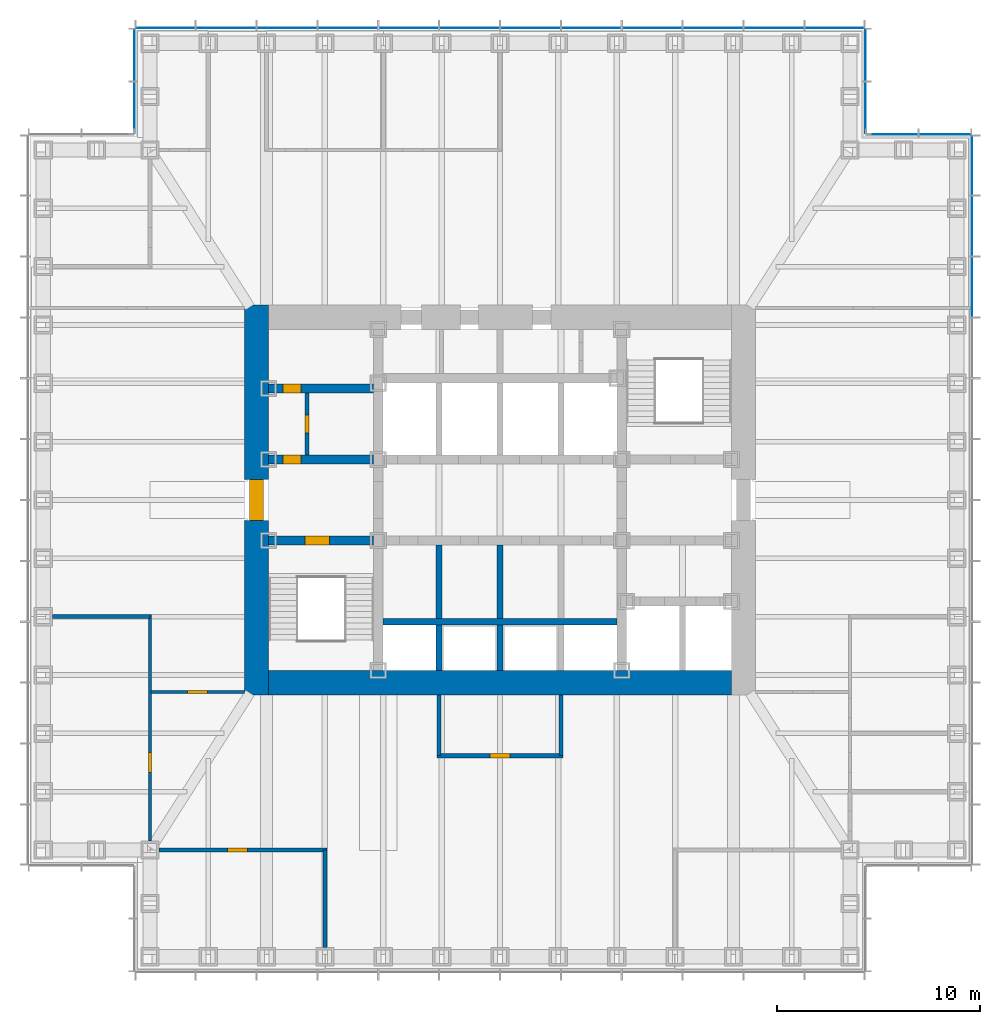
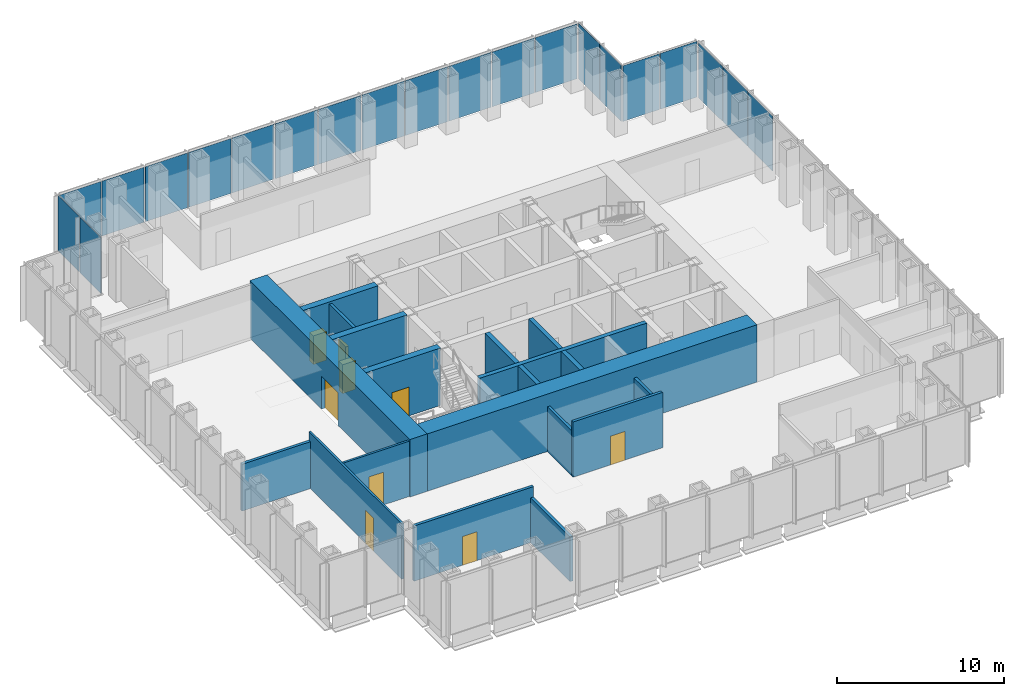
# One storey, part 8 of 16: 21 plates, 19 walls, 9 doors, 9 openings, 5 elements without a shape of their own.
"""IFC4 building model written with IfcOpenShell, lengths in metres."""

from ifc_helpers import new_model, si_unit, direction, frame, frame_2d, origin, origin_2d, place, context, subcontext, project, spatial, rectangle, extrude, material, layer, layer_set, type_object, element, fill, aggregate, save


model = new_model("IFC4")

# Units and contexts
model_context = context("Model", 3, precision=1e-05, world=origin(), true_north=direction((0.0, 1.0)))
body_context = subcontext(model_context, "Body", "Model", "MODEL_VIEW")
ifc_project = project(units=[si_unit("LENGTHUNIT", "METRE"), si_unit("AREAUNIT", "SQUARE_METRE"), si_unit("VOLUMEUNIT", "CUBIC_METRE"), si_unit("PLANEANGLEUNIT", "RADIAN"), si_unit("MASSUNIT", "GRAM", prefix="KILO")], contexts=[model_context])

# Site, building, storey
site_placement = place(None, origin())
site = spatial("IfcSite", under=ifc_project, at=site_placement, CompositionType="ELEMENT")
building_placement = place(site_placement, origin())
building = spatial("IfcBuilding", under=site, at=building_placement, Name="Daluyong Arena Tower", CompositionType="ELEMENT")
storey_placement = place(building_placement, frame((0.0, 0.0, 141.699951171875)))
storey = spatial("IfcBuildingStorey", under=building, at=storey_placement, Name="L31", CompositionType="ELEMENT", Elevation=141.699951171875)

# Curtain wall, plates
ifc_material_1 = material(Name="Bronze anodised aluminium and glass", Category="aluminium")
curtain_wall_type_1 = type_object("IfcCurtainWallType", Name="Curtain wall CW2", PredefinedType="USERDEFINED", material=ifc_material_1)
curtain_wall_1_placement = place(storey_placement, origin())
curtain_wall_1 = element("IfcCurtainWall", 1, at=curtain_wall_1_placement, inside=storey, type_object=curtain_wall_type_1, Name="curtain wall L31 E", ObjectType="UNITISED CURTAIN WALL", PredefinedType="USERDEFINED")
ifc_material_2 = material(Name="Tinted double glazed unit", Category="glass")
ifc_layer_1 = layer(ifc_material_2, 0.031982421875)
ifc_layer_set_1 = layer_set([ifc_layer_1], Name="Tinted double glazed unit")
plate_type_1 = type_object("IfcPlateType", Name="CW2 panel 32", PredefinedType="CURTAIN_PANEL", material=ifc_layer_set_1)
plate_1_placement = place(storey_placement, frame((79.25, 90.5, 0.0), z_axis=(0.0, 0.0, 1.0), x_axis=(0.0, 1.0, 0.0)))
plate_1 = element("IfcPlate", 2, at=plate_1_placement, type_object=plate_type_1, Name="curtain wall L31 E panel 10", PredefinedType="CURTAIN_PANEL", context=body_context, shape_type="SweptSolid", body=[
    extrude(rectangle(XDim=2.919921875, YDim=0.031982421875, at=origin_2d()), origin(), (0.0, 0.0, 1.0), 4.02001953125),
])
plate_2_placement = place(storey_placement, frame((79.25, 93.5, 0.0), z_axis=(0.0, 0.0, 1.0), x_axis=(0.0, 1.0, 0.0)))
plate_2 = element("IfcPlate", 3, at=plate_2_placement, type_object=plate_type_1, Name="curtain wall L31 E panel 11", PredefinedType="CURTAIN_PANEL", context=body_context, shape_type="SweptSolid", body=[
    extrude(rectangle(XDim=2.919921875, YDim=0.031982421875, at=origin_2d()), origin(), (0.0, 0.0, 1.0), 4.02001953125),
])
plate_3_placement = place(storey_placement, frame((79.25, 96.47998046875, 0.0), z_axis=(0.0, 0.0, 1.0), x_axis=(0.0, 1.0, 0.0)))
plate_3 = element("IfcPlate", 4, at=plate_3_placement, type_object=plate_type_1, Name="curtain wall L31 E panel 12", PredefinedType="CURTAIN_PANEL", context=body_context, shape_type="SweptSolid", body=[
    extrude(rectangle(XDim=2.8798828125, YDim=0.031982421875, at=origin_2d()), origin(), (0.0, 0.0, 1.0), 4.02001953125),
])
aggregate(curtain_wall_1, [plate_1, plate_2, plate_3])

curtain_wall_2_placement = place(storey_placement, origin())
curtain_wall_2 = element("IfcCurtainWall", 5, at=curtain_wall_2_placement, inside=storey, type_object=curtain_wall_type_1, Name="curtain wall L31 N", ObjectType="UNITISED CURTAIN WALL", PredefinedType="USERDEFINED")
plate_4_placement = place(storey_placement, frame((72.47998046875, 103.25, 0.0), z_axis=(0.0, 0.0, 1.0), x_axis=(-1.0, 0.0, 0.0)))
plate_4 = element("IfcPlate", 6, at=plate_4_placement, type_object=plate_type_1, Name="curtain wall L31 N panel 1", PredefinedType="CURTAIN_PANEL", context=body_context, shape_type="SweptSolid", body=[
    extrude(rectangle(XDim=2.8798828125, YDim=0.031982421875, at=origin_2d()), origin(), (0.0, 0.0, 1.0), 4.02001953125),
])
plate_5_placement = place(storey_placement, frame((69.5, 103.25, 0.0), z_axis=(0.0, 0.0, 1.0), x_axis=(-1.0, 0.0, 0.0)))
plate_5 = element("IfcPlate", 7, at=plate_5_placement, type_object=plate_type_1, Name="curtain wall L31 N panel 2", PredefinedType="CURTAIN_PANEL", context=body_context, shape_type="SweptSolid", body=[
    extrude(rectangle(XDim=2.919921875, YDim=0.031982421875, at=origin_2d()), origin(), (0.0, 0.0, 1.0), 4.02001953125),
])
plate_6_placement = place(storey_placement, frame((66.5, 103.25, 0.0), z_axis=(0.0, 0.0, 1.0), x_axis=(-1.0, 0.0, 0.0)))
plate_6 = element("IfcPlate", 8, at=plate_6_placement, type_object=plate_type_1, Name="curtain wall L31 N panel 3", PredefinedType="CURTAIN_PANEL", context=body_context, shape_type="SweptSolid", body=[
    extrude(rectangle(XDim=2.919921875, YDim=0.031982421875, at=origin_2d()), origin(), (0.0, 0.0, 1.0), 4.02001953125),
])
plate_7_placement = place(storey_placement, frame((63.5, 103.25, 0.0), z_axis=(0.0, 0.0, 1.0), x_axis=(-1.0, 0.0, 0.0)))
plate_7 = element("IfcPlate", 9, at=plate_7_placement, type_object=plate_type_1, Name="curtain wall L31 N panel 4", PredefinedType="CURTAIN_PANEL", context=body_context, shape_type="SweptSolid", body=[
    extrude(rectangle(XDim=2.919921875, YDim=0.031982421875, at=origin_2d()), origin(), (0.0, 0.0, 1.0), 4.02001953125),
])
plate_8_placement = place(storey_placement, frame((60.5, 103.25, 0.0), z_axis=(0.0, 0.0, 1.0), x_axis=(-1.0, 0.0, 0.0)))
plate_8 = element("IfcPlate", 10, at=plate_8_placement, type_object=plate_type_1, Name="curtain wall L31 N panel 5", PredefinedType="CURTAIN_PANEL", context=body_context, shape_type="SweptSolid", body=[
    extrude(rectangle(XDim=2.919921875, YDim=0.031982421875, at=origin_2d()), origin(), (0.0, 0.0, 1.0), 4.02001953125),
])
plate_9_placement = place(storey_placement, frame((57.5, 103.25, 0.0), z_axis=(0.0, 0.0, 1.0), x_axis=(-1.0, 0.0, 0.0)))
plate_9 = element("IfcPlate", 11, at=plate_9_placement, type_object=plate_type_1, Name="curtain wall L31 N panel 6", PredefinedType="CURTAIN_PANEL", context=body_context, shape_type="SweptSolid", body=[
    extrude(rectangle(XDim=2.919921875, YDim=0.031982421875, at=origin_2d()), origin(), (0.0, 0.0, 1.0), 4.02001953125),
])
plate_10_placement = place(storey_placement, frame((54.5, 103.25, 0.0), z_axis=(0.0, 0.0, 1.0), x_axis=(-1.0, 0.0, 0.0)))
plate_10 = element("IfcPlate", 12, at=plate_10_placement, type_object=plate_type_1, Name="curtain wall L31 N panel 7", PredefinedType="CURTAIN_PANEL", context=body_context, shape_type="SweptSolid", body=[
    extrude(rectangle(XDim=2.919921875, YDim=0.031982421875, at=origin_2d()), origin(), (0.0, 0.0, 1.0), 4.02001953125),
])
plate_11_placement = place(storey_placement, frame((51.5, 103.25, 0.0), z_axis=(0.0, 0.0, 1.0), x_axis=(-1.0, 0.0, 0.0)))
plate_11 = element("IfcPlate", 13, at=plate_11_placement, type_object=plate_type_1, Name="curtain wall L31 N panel 8", PredefinedType="CURTAIN_PANEL", context=body_context, shape_type="SweptSolid", body=[
    extrude(rectangle(XDim=2.919921875, YDim=0.031982421875, at=origin_2d()), origin(), (0.0, 0.0, 1.0), 4.02001953125),
])
plate_12_placement = place(storey_placement, frame((48.5, 103.25, 0.0), z_axis=(0.0, 0.0, 1.0), x_axis=(-1.0, 0.0, 0.0)))
plate_12 = element("IfcPlate", 14, at=plate_12_placement, type_object=plate_type_1, Name="curtain wall L31 N panel 9", PredefinedType="CURTAIN_PANEL", context=body_context, shape_type="SweptSolid", body=[
    extrude(rectangle(XDim=2.919921875, YDim=0.031982421875, at=origin_2d()), origin(), (0.0, 0.0, 1.0), 4.02001953125),
])
plate_13_placement = place(storey_placement, frame((45.5, 103.25, 0.0), z_axis=(0.0, 0.0, 1.0), x_axis=(-1.0, 0.0, 0.0)))
plate_13 = element("IfcPlate", 15, at=plate_13_placement, type_object=plate_type_1, Name="curtain wall L31 N panel 10", PredefinedType="CURTAIN_PANEL", context=body_context, shape_type="SweptSolid", body=[
    extrude(rectangle(XDim=2.919921875, YDim=0.031982421875, at=origin_2d()), origin(), (0.0, 0.0, 1.0), 4.02001953125),
])
plate_14_placement = place(storey_placement, frame((42.5, 103.25, 0.0), z_axis=(0.0, 0.0, 1.0), x_axis=(-1.0, 0.0, 0.0)))
plate_14 = element("IfcPlate", 16, at=plate_14_placement, type_object=plate_type_1, Name="curtain wall L31 N panel 11", PredefinedType="CURTAIN_PANEL", context=body_context, shape_type="SweptSolid", body=[
    extrude(rectangle(XDim=2.919921875, YDim=0.031982421875, at=origin_2d()), origin(), (0.0, 0.0, 1.0), 4.02001953125),
])
plate_15_placement = place(storey_placement, frame((39.52001953125, 103.25, 0.0), z_axis=(0.0, 0.0, 1.0), x_axis=(-1.0, 0.0, 0.0)))
plate_15 = element("IfcPlate", 17, at=plate_15_placement, type_object=plate_type_1, Name="curtain wall L31 N panel 12", PredefinedType="CURTAIN_PANEL", context=body_context, shape_type="SweptSolid", body=[
    extrude(rectangle(XDim=2.8798828125, YDim=0.031982421875, at=origin_2d()), origin(), (0.0, 0.0, 1.0), 4.02001953125),
])
aggregate(curtain_wall_2, [plate_4, plate_5, plate_6, plate_7, plate_8, plate_9, plate_10, plate_11, plate_12, plate_13, plate_14, plate_15])

ifc_material_3 = material(Name="Bronze anodised aluminium and glass", Category="aluminium")
curtain_wall_type_2 = type_object("IfcCurtainWallType", Name="Curtain wall CW7", PredefinedType="USERDEFINED", material=ifc_material_3)
curtain_wall_3_placement = place(storey_placement, origin())
curtain_wall_3 = element("IfcCurtainWall", 18, at=curtain_wall_3_placement, inside=storey, type_object=curtain_wall_type_2, Name="curtain wall L31 NE-N", ObjectType="UNITISED CURTAIN WALL", PredefinedType="USERDEFINED")
ifc_material_4 = material(Name="Tinted double glazed unit", Category="glass")
ifc_layer_2 = layer(ifc_material_4, 0.028076171875)
ifc_layer_set_2 = layer_set([ifc_layer_2], Name="Tinted double glazed unit")
plate_type_2 = type_object("IfcPlateType", Name="CW7 panel 28", PredefinedType="CURTAIN_PANEL", material=ifc_layer_set_2)
plate_16_placement = place(storey_placement, frame((77.922607421875, 98.0, 0.0), z_axis=(0.0, 0.0, 1.0), x_axis=(-1.0, 0.0, 0.0)))
plate_16 = element("IfcPlate", 19, at=plate_16_placement, type_object=plate_type_2, Name="curtain wall L31 NE-N panel 1", PredefinedType="CURTAIN_PANEL", context=body_context, shape_type="SweptSolid", body=[
    extrude(rectangle(XDim=2.534912109375, YDim=0.028076171875, at=origin_2d()), origin(), (0.0, 0.0, 1.0), 4.080078125),
])
plate_17_placement = place(storey_placement, frame((75.327392578125, 98.0, 0.0), z_axis=(0.0, 0.0, 1.0), x_axis=(-1.0, 0.0, 0.0)))
plate_17 = element("IfcPlate", 20, at=plate_17_placement, type_object=plate_type_2, Name="curtain wall L31 NE-N panel 2", PredefinedType="CURTAIN_PANEL", context=body_context, shape_type="SweptSolid", body=[
    extrude(rectangle(XDim=2.534912109375, YDim=0.028076171875, at=origin_2d()), origin(), (0.0, 0.0, 1.0), 4.080078125),
])
aggregate(curtain_wall_3, [plate_16, plate_17])

curtain_wall_4_placement = place(storey_placement, origin())
curtain_wall_4 = element("IfcCurtainWall", 21, at=curtain_wall_4_placement, inside=storey, type_object=curtain_wall_type_2, Name="curtain wall L31 NE-E", ObjectType="UNITISED CURTAIN WALL", PredefinedType="USERDEFINED")
plate_18_placement = place(storey_placement, frame((74.0, 99.327392578125, 0.0), z_axis=(0.0, 0.0, 1.0), x_axis=(0.0, 1.0, 0.0)))
plate_18 = element("IfcPlate", 22, at=plate_18_placement, type_object=plate_type_2, Name="curtain wall L31 NE-E panel 1", PredefinedType="CURTAIN_PANEL", context=body_context, shape_type="SweptSolid", body=[
    extrude(rectangle(XDim=2.534912109375, YDim=0.028076171875, at=origin_2d()), origin(), (0.0, 0.0, 1.0), 4.080078125),
])
plate_19_placement = place(storey_placement, frame((74.0, 101.922607421875, 0.0), z_axis=(0.0, 0.0, 1.0), x_axis=(0.0, 1.0, 0.0)))
plate_19 = element("IfcPlate", 23, at=plate_19_placement, type_object=plate_type_2, Name="curtain wall L31 NE-E panel 2", PredefinedType="CURTAIN_PANEL", context=body_context, shape_type="SweptSolid", body=[
    extrude(rectangle(XDim=2.534912109375, YDim=0.028076171875, at=origin_2d()), origin(), (0.0, 0.0, 1.0), 4.080078125),
])
aggregate(curtain_wall_4, [plate_18, plate_19])

curtain_wall_5_placement = place(storey_placement, origin())
curtain_wall_5 = element("IfcCurtainWall", 24, at=curtain_wall_5_placement, inside=storey, type_object=curtain_wall_type_2, Name="curtain wall L31 NW-W", ObjectType="UNITISED CURTAIN WALL", PredefinedType="USERDEFINED")
plate_20_placement = place(storey_placement, frame((38.0, 101.922607421875, 0.0), z_axis=(0.0, 0.0, 1.0), x_axis=(0.0, -1.0, 0.0)))
plate_20 = element("IfcPlate", 25, at=plate_20_placement, type_object=plate_type_2, Name="curtain wall L31 NW-W panel 1", PredefinedType="CURTAIN_PANEL", context=body_context, shape_type="SweptSolid", body=[
    extrude(rectangle(XDim=2.534912109375, YDim=0.028076171875, at=origin_2d()), origin(), (0.0, 0.0, 1.0), 4.080078125),
])
plate_21_placement = place(storey_placement, frame((38.0, 99.327392578125, 0.0), z_axis=(0.0, 0.0, 1.0), x_axis=(0.0, -1.0, 0.0)))
plate_21 = element("IfcPlate", 26, at=plate_21_placement, type_object=plate_type_2, Name="curtain wall L31 NW-W panel 2", PredefinedType="CURTAIN_PANEL", context=body_context, shape_type="SweptSolid", body=[
    extrude(rectangle(XDim=2.534912109375, YDim=0.028076171875, at=origin_2d()), origin(), (0.0, 0.0, 1.0), 4.080078125),
])
aggregate(curtain_wall_5, [plate_20, plate_21])

# Wall, opening, door
ifc_material_5 = material(Name="Concrete fc' 45 MPa", Category="concrete")
ifc_layer_3 = layer(ifc_material_5, 0.449951171875)
ifc_layer_set_3 = layer_set([ifc_layer_3], Name="Concrete fc' 45 MPa")
wall_type_1 = type_object("IfcWallType", Name="Core inner wall 450", PredefinedType="SHEAR", material=ifc_layer_set_3)
wall_1_placement = place(storey_placement, frame((44.60009765625, 78.0, 0.0), z_axis=(0.0, 0.0, 1.0), x_axis=(1.0, 0.0, 0.0)))
wall_1 = element("IfcWall", 27, at=wall_1_placement, inside=storey, type_object=wall_type_1, Name="core inner wall at L31", PredefinedType="SHEAR", context=body_context, shape_type="SweptSolid", body=[
    extrude(rectangle(XDim=5.1748046875, YDim=0.449951171875, at=frame_2d((2.58740234375, 0.0))), origin(), (0.0, 0.0, 1.0), 4.199951171875),
])
opening_1_placement = place(wall_1_placement, frame((1.800048828125, 0.0, 0.0)))
opening_1 = element("IfcOpeningElement", 28, at=opening_1_placement, cuts=wall_1, Name="Opening 31012", PredefinedType="OPENING", context=body_context, shape_type="SweptSolid", body=[
    extrude(rectangle(XDim=1.199951171875, YDim=2.10009765625, at=frame_2d((0.60009765625, 1.050048828125))), frame((0.0, 0.23486328125, 0.0), z_axis=(0.0, -1.0, 0.0), x_axis=(1.0, 0.0, 0.0)), (0.0, 0.0, 1.0), 0.469970703125),
])
ifc_material_6 = material(Name="Steel door, fire rated", Category="steel")
door_type_1 = type_object("IfcDoorType", Name="Stair door 1200", OperationType="SINGLE_SWING_LEFT", PredefinedType="DOOR", material=ifc_material_6)
door_1_placement = place(opening_1_placement, origin())
door_1 = element("IfcDoor", 29, at=door_1_placement, inside=storey, type_object=door_type_1, Name="stair A door 31012", OperationType="SINGLE_SWING_LEFT", OverallHeight=2.10009765625, OverallWidth=1.199951171875, PredefinedType="DOOR", context=body_context, shape_type="SweptSolid", body=[
    extrude(rectangle(XDim=1.199951171875, YDim=2.10009765625, at=frame_2d((0.60009765625, 1.050048828125))), frame((0.0, 0.224609375, 0.0), z_axis=(0.0, -1.0, 0.0), x_axis=(1.0, 0.0, 0.0)), (0.0, 0.0, 1.0), 0.449462890625),
])
fill(opening_1, door_1)

wall_2_placement = place(storey_placement, frame((44.60009765625, 82.0, 0.0), z_axis=(0.0, 0.0, 1.0), x_axis=(1.0, 0.0, 0.0)))
wall_2 = element("IfcWall", 30, at=wall_2_placement, inside=storey, type_object=wall_type_1, Name="core inner wall at L31", PredefinedType="SHEAR", context=body_context, shape_type="SweptSolid", body=[
    extrude(rectangle(XDim=5.1748046875, YDim=0.449951171875, at=frame_2d((2.58740234375, 0.0))), origin(), (0.0, 0.0, 1.0), 4.199951171875),
])
opening_2_placement = place(wall_2_placement, frame((0.699951171875, 0.0, 0.0)))
opening_2 = element("IfcOpeningElement", 31, at=opening_2_placement, cuts=wall_2, Name="Opening 31001", PredefinedType="OPENING", context=body_context, shape_type="SweptSolid", body=[
    extrude(rectangle(XDim=0.89990234375, YDim=2.10009765625, at=frame_2d((0.449951171875, 1.050048828125))), frame((0.0, 0.23486328125, 0.0), z_axis=(0.0, -1.0, 0.0), x_axis=(1.0, 0.0, 0.0)), (0.0, 0.0, 1.0), 0.469970703125),
])
ifc_material_7 = material(Name="Steel door, fire rated", Category="steel")
door_type_2 = type_object("IfcDoorType", Name="Core room door 900", OperationType="SINGLE_SWING_LEFT", PredefinedType="DOOR", material=ifc_material_7)
door_2_placement = place(opening_2_placement, origin())
door_2 = element("IfcDoor", 32, at=door_2_placement, inside=storey, type_object=door_type_2, Name="toilet lobby door 31001", OperationType="SINGLE_SWING_LEFT", OverallHeight=2.10009765625, OverallWidth=0.89990234375, PredefinedType="DOOR", context=body_context, shape_type="SweptSolid", body=[
    extrude(rectangle(XDim=0.89990234375, YDim=2.10009765625, at=frame_2d((0.449951171875, 1.050048828125))), frame((0.0, 0.224609375, 0.0), z_axis=(0.0, -1.0, 0.0), x_axis=(1.0, 0.0, 0.0)), (0.0, 0.0, 1.0), 0.449462890625),
])
fill(opening_2, door_2)

wall_3_placement = place(storey_placement, frame((44.60009765625, 85.5, 0.0), z_axis=(0.0, 0.0, 1.0), x_axis=(1.0, 0.0, 0.0)))
wall_3 = element("IfcWall", 33, at=wall_3_placement, inside=storey, type_object=wall_type_1, Name="core inner wall at L31", PredefinedType="SHEAR", context=body_context, shape_type="SweptSolid", body=[
    extrude(rectangle(XDim=5.1748046875, YDim=0.449951171875, at=frame_2d((2.58740234375, 0.0))), origin(), (0.0, 0.0, 1.0), 4.199951171875),
])
opening_3_placement = place(wall_3_placement, frame((0.699951171875, 0.0, 0.0)))
opening_3 = element("IfcOpeningElement", 34, at=opening_3_placement, cuts=wall_3, Name="Opening 31003", PredefinedType="OPENING", context=body_context, shape_type="SweptSolid", body=[
    extrude(rectangle(XDim=0.89990234375, YDim=2.10009765625, at=frame_2d((0.449951171875, 1.050048828125))), frame((0.0, 0.23486328125, 0.0), z_axis=(0.0, -1.0, 0.0), x_axis=(1.0, 0.0, 0.0)), (0.0, 0.0, 1.0), 0.469970703125),
])
ifc_material_8 = material(Name="Timber door", Category="wood")
door_type_3 = type_object("IfcDoorType", Name="Toilet door 900", OperationType="SINGLE_SWING_RIGHT", PredefinedType="DOOR", material=ifc_material_8)
door_3_placement = place(opening_3_placement, origin())
door_3 = element("IfcDoor", 35, at=door_3_placement, inside=storey, type_object=door_type_3, Name="female toilet door 31003", OperationType="SINGLE_SWING_RIGHT", OverallHeight=2.10009765625, OverallWidth=0.89990234375, PredefinedType="DOOR", context=body_context, shape_type="SweptSolid", body=[
    extrude(rectangle(XDim=0.89990234375, YDim=2.10009765625, at=frame_2d((0.449951171875, 1.050048828125))), frame((0.0, 0.224609375, 0.0), z_axis=(0.0, -1.0, 0.0), x_axis=(1.0, 0.0, 0.0)), (0.0, 0.0, 1.0), 0.449462890625),
])
fill(opening_3, door_3)

ifc_material_9 = material(Name="Concrete fc' 60 MPa", Category="concrete")
ifc_layer_4 = layer(ifc_material_9, 1.199951171875)
ifc_layer_set_4 = layer_set([ifc_layer_4], Name="Concrete fc' 60 MPa")
wall_type_2 = type_object("IfcWallType", Name="Core wall 1200", PredefinedType="SHEAR", material=ifc_layer_set_4)
wall_4_placement = place(storey_placement, frame((44.0, 70.39990234375, 0.0), z_axis=(0.0, 0.0, 1.0), x_axis=(0.0, 1.0, 0.0)))
wall_4 = element("IfcWall", 36, at=wall_4_placement, inside=storey, type_object=wall_type_2, Name="core wall at L31", PredefinedType="SHEAR", context=body_context, shape_type="SweptSolid", body=[
    extrude(rectangle(XDim=19.2001953125, YDim=1.199951171875, at=frame_2d((9.60009765625, 0.0))), origin(), (0.0, 0.0, 1.0), 4.199951171875),
])
opening_4_placement = place(wall_4_placement, frame((8.60009765625, 0.0, 0.0)))
opening_4 = element("IfcOpeningElement", 37, at=opening_4_placement, cuts=wall_4, Name="Opening 31014", PredefinedType="OPENING", context=body_context, shape_type="SweptSolid", body=[
    extrude(rectangle(XDim=2.0, YDim=2.39990234375, at=frame_2d((1.0, 1.199951171875))), frame((0.0, 0.60986328125, 0.0), z_axis=(0.0, -1.0, 0.0), x_axis=(1.0, 0.0, 0.0)), (0.0, 0.0, 1.0), 1.219970703125),
])
ifc_material_10 = material(Name="Steel door, fire rated", Category="steel")
door_type_4 = type_object("IfcDoorType", Name="Core lobby double door 2000", OperationType="DOUBLE_DOOR_SINGLE_SWING", PredefinedType="DOOR", material=ifc_material_10)
door_4_placement = place(opening_4_placement, origin())
door_4 = element("IfcDoor", 38, at=door_4_placement, inside=storey, type_object=door_type_4, Name="core lobby door west 31014", OperationType="DOUBLE_DOOR_SINGLE_SWING", OverallHeight=2.39990234375, OverallWidth=2.0, PredefinedType="DOOR", context=body_context, shape_type="SweptSolid", body=[
    extrude(rectangle(XDim=2.0, YDim=2.39990234375, at=frame_2d((1.0, 1.199951171875))), frame((0.0, 0.35009765625, 0.0), z_axis=(0.0, -1.0, 0.0), x_axis=(1.0, 0.0, 0.0)), (0.0, 0.0, 1.0), 0.699951171875),
])
fill(opening_4, door_4)

# Wall
wall_5_placement = place(storey_placement, frame((44.60009765625, 71.0, 0.0), z_axis=(0.0, 0.0, 1.0), x_axis=(1.0, 0.0, 0.0)))
element("IfcWall", 39, at=wall_5_placement, inside=storey, type_object=wall_type_2, Name="core wall at L31", PredefinedType="SHEAR", context=body_context, shape_type="SweptSolid", body=[
    extrude(rectangle(XDim=22.7998046875, YDim=1.199951171875, at=frame_2d((11.39990234375, 0.0))), origin(), (0.0, 0.0, 1.0), 4.199951171875),
])

# Wall, opening, door
ifc_material_11 = material(Name="Concrete block partition, fire rated", Category="concrete")
ifc_layer_5 = layer(ifc_material_11, 0.199951171875)
ifc_layer_set_5 = layer_set([ifc_layer_5], Name="Concrete block partition, fire rated")
wall_type_3 = type_object("IfcWallType", Name="Fire-rated partition 200", PredefinedType="PARTITIONING", material=ifc_layer_set_5)
wall_6_placement = place(storey_placement, frame((46.5, 82.22509765625, 0.0), z_axis=(0.0, 0.0, 1.0), x_axis=(0.0, 1.0, 0.0)))
wall_6 = element("IfcWall", 40, at=wall_6_placement, inside=storey, type_object=wall_type_3, Name="toilet lobby partition at L31", PredefinedType="PARTITIONING", context=body_context, shape_type="SweptSolid", body=[
    extrude(rectangle(XDim=3.0498046875, YDim=0.199951171875, at=frame_2d((1.52490234375, 0.0))), origin(), (0.0, 0.0, 1.0), 4.0400390625),
])
opening_5_placement = place(wall_6_placement, frame((1.074951171875, 0.0, 0.0)))
opening_5 = element("IfcOpeningElement", 41, at=opening_5_placement, cuts=wall_6, Name="Opening 31002", PredefinedType="OPENING", context=body_context, shape_type="SweptSolid", body=[
    extrude(rectangle(XDim=0.89990234375, YDim=2.10009765625, at=frame_2d((0.449951171875, 1.050048828125))), frame((0.0, 0.10986328125, 0.0), z_axis=(0.0, -1.0, 0.0), x_axis=(1.0, 0.0, 0.0)), (0.0, 0.0, 1.0), 0.219970703125),
])
door_5_placement = place(opening_5_placement, origin())
door_5 = element("IfcDoor", 42, at=door_5_placement, inside=storey, type_object=door_type_3, Name="male toilet door 31002", OperationType="SINGLE_SWING_RIGHT", OverallHeight=2.10009765625, OverallWidth=0.89990234375, PredefinedType="DOOR", context=body_context, shape_type="SweptSolid", body=[
    extrude(rectangle(XDim=0.89990234375, YDim=2.10009765625, at=frame_2d((0.449951171875, 1.050048828125))), frame((0.0, 0.099609375, 0.0), z_axis=(0.0, -1.0, 0.0), x_axis=(1.0, 0.0, 0.0)), (0.0, 0.0, 1.0), 0.199462890625),
])
fill(opening_5, door_5)

ifc_material_12 = material(Name="Glazed aluminium partition", Category="aluminium")
ifc_layer_6 = layer(ifc_material_12, 0.14990234375)
ifc_layer_set_6 = layer_set([ifc_layer_6], Name="Glazed aluminium partition")
wall_type_4 = type_object("IfcWallType", Name="Glazed partition 150", PredefinedType="PARTITIONING", material=ifc_layer_set_6)
wall_7_placement = place(storey_placement, frame((38.800048828125, 70.550048828125, 0.0), z_axis=(0.0, 0.0, 1.0), x_axis=(1.0, 0.0, 0.0)))
wall_7 = element("IfcWall", 43, at=wall_7_placement, inside=storey, type_object=wall_type_4, Name="glazed partition at L31", PredefinedType="PARTITIONING", context=body_context, shape_type="SweptSolid", body=[
    extrude(rectangle(XDim=4.599853515625, YDim=0.14990234375, at=frame_2d((2.2998046875, 0.0))), origin(), (0.0, 0.0, 1.0), 4.0400390625),
])
opening_6_placement = place(wall_7_placement, frame((1.800048828125, 0.0, 0.0)))
opening_6 = element("IfcOpeningElement", 44, at=opening_6_placement, cuts=wall_7, Name="Opening 31036", PredefinedType="OPENING", context=body_context, shape_type="SweptSolid", body=[
    extrude(rectangle(XDim=1.0, YDim=2.39990234375, at=frame_2d((0.5, 1.199951171875))), frame((0.0, 0.0849609375, 0.0), z_axis=(0.0, -1.0, 0.0), x_axis=(1.0, 0.0, 0.0)), (0.0, 0.0, 1.0), 0.169921875),
])
ifc_material_13 = material(Name="Glazed aluminium door", Category="aluminium")
door_type_5 = type_object("IfcDoorType", Name="Meeting room glazed door 1000", OperationType="SINGLE_SWING_RIGHT", PredefinedType="DOOR", material=ifc_material_13)
door_6_placement = place(opening_6_placement, origin())
door_6 = element("IfcDoor", 45, at=door_6_placement, inside=storey, type_object=door_type_5, Name="team area screen door 31036", OperationType="SINGLE_SWING_RIGHT", OverallHeight=2.39990234375, OverallWidth=1.0, PredefinedType="DOOR", context=body_context, shape_type="SweptSolid", body=[
    extrude(rectangle(XDim=1.0, YDim=2.39990234375, at=frame_2d((0.5, 1.199951171875))), frame((0.0, 0.07470703125, 0.0), z_axis=(0.0, -1.0, 0.0), x_axis=(1.0, 0.0, 0.0)), (0.0, 0.0, 1.0), 0.1494140625),
])
fill(opening_6, door_6)

wall_8_placement = place(storey_placement, frame((38.75, 63.199951171875, 0.0), z_axis=(0.0, 0.0, 1.0), x_axis=(0.0, 1.0, 0.0)))
wall_8 = element("IfcWall", 46, at=wall_8_placement, inside=storey, type_object=wall_type_4, Name="glazed partition at L31", PredefinedType="PARTITIONING", context=body_context, shape_type="SweptSolid", body=[
    extrude(rectangle(XDim=11.150146484375, YDim=0.14990234375, at=frame_2d((5.5751953125, 0.0))), origin(), (0.0, 0.0, 1.0), 4.0400390625),
])
opening_7_placement = place(wall_8_placement, frame((3.362548828125, 0.0, 0.0)))
opening_7 = element("IfcOpeningElement", 47, at=opening_7_placement, cuts=wall_8, Name="Opening 31033", PredefinedType="OPENING", context=body_context, shape_type="SweptSolid", body=[
    extrude(rectangle(XDim=1.0, YDim=2.39990234375, at=frame_2d((0.5, 1.199951171875))), frame((0.0, 0.0849609375, 0.0), z_axis=(0.0, -1.0, 0.0), x_axis=(1.0, 0.0, 0.0)), (0.0, 0.0, 1.0), 0.169921875),
])
door_7_placement = place(opening_7_placement, origin())
door_7 = element("IfcDoor", 48, at=door_7_placement, inside=storey, type_object=door_type_5, Name="boardroom door 31033", OperationType="SINGLE_SWING_RIGHT", OverallHeight=2.39990234375, OverallWidth=1.0, PredefinedType="DOOR", context=body_context, shape_type="SweptSolid", body=[
    extrude(rectangle(XDim=1.0, YDim=2.39990234375, at=frame_2d((0.5, 1.199951171875))), frame((0.0, 0.07470703125, 0.0), z_axis=(0.0, -1.0, 0.0), x_axis=(1.0, 0.0, 0.0)), (0.0, 0.0, 1.0), 0.1494140625),
])
fill(opening_7, door_7)

# Walls
ifc_material_14 = material(Name="Concrete fc' 45 MPa", Category="concrete")
ifc_layer_7 = layer(ifc_material_14, 0.300048828125)
ifc_layer_set_7 = layer_set([ifc_layer_7], Name="Concrete fc' 45 MPa")
wall_type_5 = type_object("IfcWallType", Name="Lift shaft wall 300", PredefinedType="SHEAR", material=ifc_layer_set_7)
wall_9_placement = place(storey_placement, frame((50.22509765625, 74.0, 0.0), z_axis=(0.0, 0.0, 1.0), x_axis=(1.0, 0.0, 0.0)))
element("IfcWall", 49, at=wall_9_placement, inside=storey, type_object=wall_type_5, Name="lift shaft wall at L31", PredefinedType="SHEAR", context=body_context, shape_type="SweptSolid", body=[
    extrude(rectangle(XDim=11.5498046875, YDim=0.300048828125, at=frame_2d((5.77490234375, 0.0))), origin(), (0.0, 0.0, 1.0), 4.199951171875),
])
wall_10_placement = place(storey_placement, frame((53.0, 71.60009765625, 0.0), z_axis=(0.0, 0.0, 1.0), x_axis=(0.0, 1.0, 0.0)))
element("IfcWall", 50, at=wall_10_placement, inside=storey, type_object=wall_type_5, Name="lift shaft wall at L31", PredefinedType="SHEAR", context=body_context, shape_type="SweptSolid", body=[
    extrude(rectangle(XDim=2.25, YDim=0.300048828125, at=frame_2d((1.125, 0.0))), origin(), (0.0, 0.0, 1.0), 4.199951171875),
])
wall_11_placement = place(storey_placement, frame((53.0, 74.14990234375, 0.0), z_axis=(0.0, 0.0, 1.0), x_axis=(0.0, 1.0, 0.0)))
element("IfcWall", 51, at=wall_11_placement, inside=storey, type_object=wall_type_5, Name="lift shaft wall at L31", PredefinedType="SHEAR", context=body_context, shape_type="SweptSolid", body=[
    extrude(rectangle(XDim=3.625, YDim=0.300048828125, at=frame_2d((1.8125, 0.0))), origin(), (0.0, 0.0, 1.0), 4.199951171875),
])
wall_12_placement = place(storey_placement, frame((56.0, 71.60009765625, 0.0), z_axis=(0.0, 0.0, 1.0), x_axis=(0.0, 1.0, 0.0)))
element("IfcWall", 52, at=wall_12_placement, inside=storey, type_object=wall_type_5, Name="lift shaft wall at L31", PredefinedType="SHEAR", context=body_context, shape_type="SweptSolid", body=[
    extrude(rectangle(XDim=2.25, YDim=0.300048828125, at=frame_2d((1.125, 0.0))), origin(), (0.0, 0.0, 1.0), 4.199951171875),
])
wall_13_placement = place(storey_placement, frame((56.0, 74.14990234375, 0.0), z_axis=(0.0, 0.0, 1.0), x_axis=(0.0, 1.0, 0.0)))
element("IfcWall", 53, at=wall_13_placement, inside=storey, type_object=wall_type_5, Name="lift shaft wall at L31", PredefinedType="SHEAR", context=body_context, shape_type="SweptSolid", body=[
    extrude(rectangle(XDim=3.625, YDim=0.300048828125, at=frame_2d((1.8125, 0.0))), origin(), (0.0, 0.0, 1.0), 4.199951171875),
])
ifc_material_15 = material(Name="Concrete block partition", Category="concrete")
ifc_layer_8 = layer(ifc_material_15, 0.199951171875)
ifc_layer_set_8 = layer_set([ifc_layer_8], Name="Concrete block partition")
wall_type_6 = type_object("IfcWallType", Name="Partition 200", PredefinedType="PARTITIONING", material=ifc_layer_set_8)
wall_14_placement = place(storey_placement, frame((47.375, 57.949951171875, 0.0), z_axis=(0.0, 0.0, 1.0), x_axis=(0.0, 1.0, 0.0)))
element("IfcWall", 54, at=wall_14_placement, inside=storey, type_object=wall_type_6, Name="partition at L31", PredefinedType="PARTITIONING", context=body_context, shape_type="SweptSolid", body=[
    extrude(rectangle(XDim=4.800048828125, YDim=0.199951171875, at=frame_2d((2.39990234375, 0.0))), origin(), (0.0, 0.0, 1.0), 3.278076171875),
])
wall_15_placement = place(storey_placement, frame((33.949951171875, 74.25, 0.0), z_axis=(0.0, 0.0, 1.0), x_axis=(1.0, 0.0, 0.0)))
element("IfcWall", 55, at=wall_15_placement, inside=storey, type_object=wall_type_6, Name="partition at L31", PredefinedType="PARTITIONING", context=body_context, shape_type="SweptSolid", body=[
    extrude(rectangle(XDim=4.800048828125, YDim=0.199951171875, at=frame_2d((2.39990234375, 0.0))), origin(), (0.0, 0.0, 1.0), 3.427978515625),
])
for number, where, z_axis, x_axis, name in (
    (56, (53.0, 67.39990234375, 0.0), (0.0, 0.0, 1.0), (0.0, 1.0, 0.0), "partition at L31"),
    (57, (59.0, 67.39990234375, 0.0), (0.0, 0.0, 1.0), (0.0, 1.0, 0.0), "partition at L31"),
):
    element("IfcWall", number, at=place(storey_placement, frame(where, z_axis=z_axis, x_axis=x_axis)), inside=storey, type_object=wall_type_6, Name=name, PredefinedType="PARTITIONING", context=body_context, shape_type="SweptSolid", body=[
        extrude(rectangle(XDim=3.0, YDim=0.199951171875, at=frame_2d((1.5, 0.0))), origin(), (0.0, 0.0, 1.0), 3.278076171875),
    ])

# Wall, opening, door
wall_16_placement = place(storey_placement, frame((39.199951171875, 62.75, 0.0), z_axis=(0.0, 0.0, 1.0), x_axis=(1.0, 0.0, 0.0)))
wall_16 = element("IfcWall", 58, at=wall_16_placement, inside=storey, type_object=wall_type_6, Name="partition at L31", PredefinedType="PARTITIONING", context=body_context, shape_type="SweptSolid", body=[
    extrude(rectangle(XDim=8.275146484375, YDim=0.199951171875, at=frame_2d((4.1376953125, 0.0))), origin(), (0.0, 0.0, 1.0), 4.0400390625),
])
opening_8_placement = place(wall_16_placement, frame((3.362548828125, 0.0, 0.0)))
opening_8 = element("IfcOpeningElement", 59, at=opening_8_placement, cuts=wall_16, Name="Opening 31025", PredefinedType="OPENING", context=body_context, shape_type="SweptSolid", body=[
    extrude(rectangle(XDim=1.0, YDim=2.10009765625, at=frame_2d((0.5, 1.050048828125))), frame((0.0, 0.10986328125, 0.0), z_axis=(0.0, -1.0, 0.0), x_axis=(1.0, 0.0, 0.0)), (0.0, 0.0, 1.0), 0.219970703125),
])
ifc_material_16 = material(Name="Timber door", Category="wood")
door_type_6 = type_object("IfcDoorType", Name="Room door 1000", OperationType="SINGLE_SWING_LEFT", PredefinedType="DOOR", material=ifc_material_16)
door_8_placement = place(opening_8_placement, origin())
door_8 = element("IfcDoor", 60, at=door_8_placement, inside=storey, type_object=door_type_6, Name="training room door 31025", OperationType="SINGLE_SWING_LEFT", OverallHeight=2.10009765625, OverallWidth=1.0, PredefinedType="DOOR", context=body_context, shape_type="SweptSolid", body=[
    extrude(rectangle(XDim=1.0, YDim=2.10009765625, at=frame_2d((0.5, 1.050048828125))), frame((0.0, 0.099609375, 0.0), z_axis=(0.0, -1.0, 0.0), x_axis=(1.0, 0.0, 0.0)), (0.0, 0.0, 1.0), 0.199462890625),
])
fill(opening_8, door_8)

wall_17_placement = place(storey_placement, frame((52.89990234375, 67.39990234375, 0.0), z_axis=(0.0, 0.0, 1.0), x_axis=(1.0, 0.0, 0.0)))
wall_17 = element("IfcWall", 61, at=wall_17_placement, inside=storey, type_object=wall_type_6, Name="partition at L31", PredefinedType="PARTITIONING", context=body_context, shape_type="SweptSolid", body=[
    extrude(rectangle(XDim=6.2001953125, YDim=0.199951171875, at=frame_2d((3.10009765625, 0.0))), origin(), (0.0, 0.0, 1.0), 4.0400390625),
])
opening_9_placement = place(wall_17_placement, frame((2.60009765625, 0.0, 0.0)))
opening_9 = element("IfcOpeningElement", 62, at=opening_9_placement, cuts=wall_17, Name="Opening 31035", PredefinedType="OPENING", context=body_context, shape_type="SweptSolid", body=[
    extrude(rectangle(XDim=1.0, YDim=2.10009765625, at=frame_2d((0.5, 1.050048828125))), frame((0.0, 0.10986328125, 0.0), z_axis=(0.0, -1.0, 0.0), x_axis=(1.0, 0.0, 0.0)), (0.0, 0.0, 1.0), 0.219970703125),
])
door_9_placement = place(opening_9_placement, origin())
door_9 = element("IfcDoor", 63, at=door_9_placement, inside=storey, type_object=door_type_6, Name="copy room door 31035", OperationType="SINGLE_SWING_LEFT", OverallHeight=2.10009765625, OverallWidth=1.0, PredefinedType="DOOR", context=body_context, shape_type="SweptSolid", body=[
    extrude(rectangle(XDim=1.0, YDim=2.10009765625, at=frame_2d((0.5, 1.050048828125))), frame((0.0, 0.099609375, 0.0), z_axis=(0.0, -1.0, 0.0), x_axis=(1.0, 0.0, 0.0)), (0.0, 0.0, 1.0), 0.199462890625),
])
fill(opening_9, door_9)

save(model, "model.ifc")
